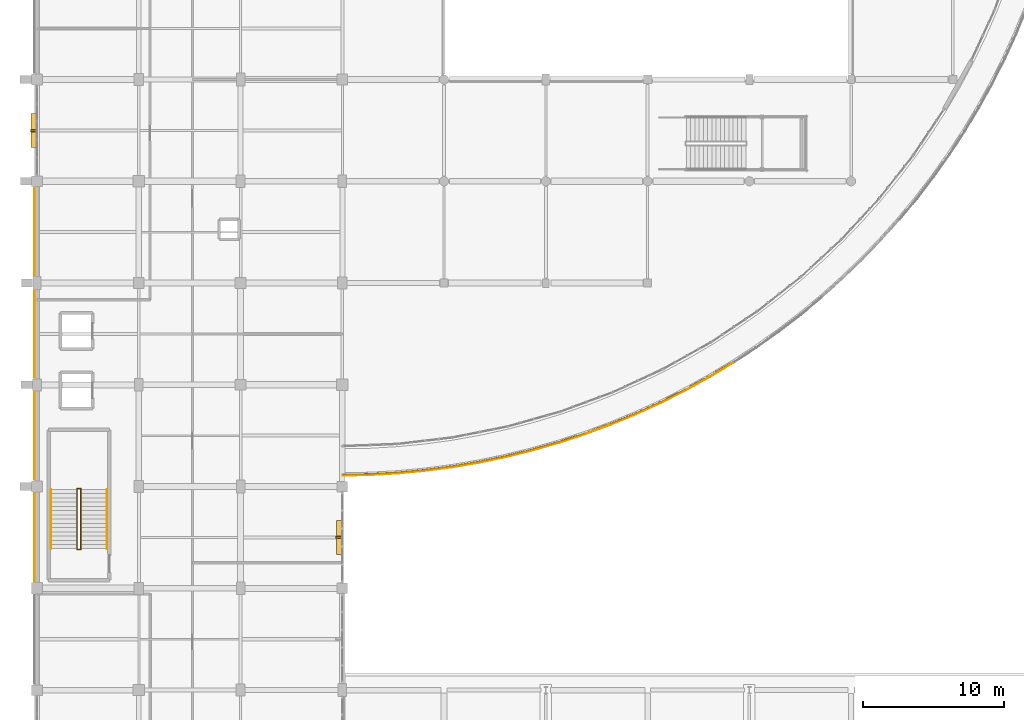
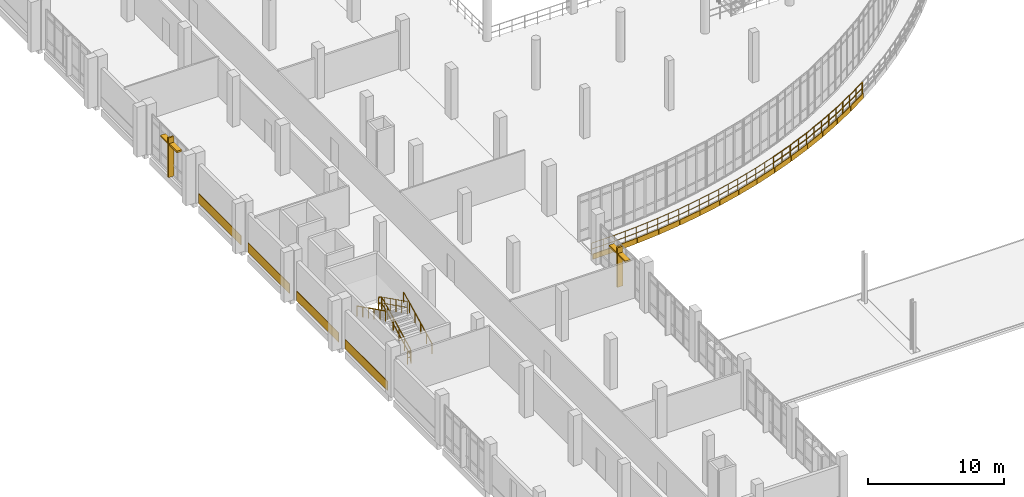
# One storey, part 123 of 134: 21 railings, 19 coverings, 4 shading devices.
"""IFC4 building model written with IfcOpenShell, lengths in metres."""

from ifc_helpers import new_model, si_unit, direction, frame, origin, origin_2d, place, context, subcontext, project, spatial, rectangle, circle, extrude, material, layer, layer_set, type_object, element, save


model = new_model("IFC4")

# Units and contexts
model_context = context("Model", 3, precision=1e-05, world=origin(), true_north=direction((0.0, 1.0)))
body_context = subcontext(model_context, "Body", "Model", "MODEL_VIEW")
ifc_project = project(units=[si_unit("LENGTHUNIT", "METRE"), si_unit("AREAUNIT", "SQUARE_METRE"), si_unit("VOLUMEUNIT", "CUBIC_METRE"), si_unit("PLANEANGLEUNIT", "RADIAN"), si_unit("MASSUNIT", "GRAM", prefix="KILO")], contexts=[model_context])

# Site, building, storey
site_placement = place(None, origin())
site = spatial("IfcSite", under=ifc_project, at=site_placement, CompositionType="ELEMENT")
building_placement = place(site_placement, origin())
building = spatial("IfcBuilding", under=site, at=building_placement, Name="Kalluvel Institute of Natural Sciences", CompositionType="ELEMENT")
storey_placement = place(building_placement, frame((0.0, 0.0, 5.39990234375)))
storey = spatial("IfcBuildingStorey", under=building, at=storey_placement, Name="L01", CompositionType="ELEMENT", Elevation=5.39990234375)

# Coverings
ifc_material_1 = material(Name="Sadarahalli Grey Granite Ashlar Concrete M40", Category="masonry")
ifc_layer = layer(ifc_material_1, 0.044921875)
ifc_layer_set = layer_set([ifc_layer], Name="Sadarahalli Grey Granite Ashlar Concrete M40")
covering_type = type_object("IfcCoveringType", Name="COV-CLAD-STONE", PredefinedType="CLADDING", material=ifc_layer_set)
covering_1_placement = place(storey_placement, frame((13.820068359375, 46.39990234375, 0.025146484375), z_axis=(0.0, 0.0, 1.0), x_axis=(0.0, 1.0, 0.0)))
element("IfcCovering", 1, at=covering_1_placement, inside=storey, type_object=covering_type, Name="L01 Sadarahalli granite plinth spandrel cladding 140", PredefinedType="CLADDING", context=body_context, shape_type="SweptSolid", body=[
    extrude(rectangle(XDim=6.239990234375, YDim=0.044921875, at=origin_2d()), origin(), (0.0, 0.0, 1.0), 0.85009765625),
])
covering_2_placement = place(storey_placement, frame((13.820068359375, 53.58740234375, 0.025146484375), z_axis=(0.0, 0.0, 1.0), x_axis=(0.0, 1.0, 0.0)))
element("IfcCovering", 2, at=covering_2_placement, inside=storey, type_object=covering_type, Name="L01 Sadarahalli granite plinth spandrel cladding 141", PredefinedType="CLADDING", context=body_context, shape_type="SweptSolid", body=[
    extrude(rectangle(XDim=6.215087890625, YDim=0.044921875, at=origin_2d()), origin(), (0.0, 0.0, 1.0), 0.85009765625),
])
covering_3_placement = place(storey_placement, frame((13.820068359375, 60.78759765625, 0.025146484375), z_axis=(0.0, 0.0, 1.0), x_axis=(0.0, 1.0, 0.0)))
element("IfcCovering", 3, at=covering_3_placement, inside=storey, type_object=covering_type, Name="L01 Sadarahalli granite plinth spandrel cladding 142", PredefinedType="CLADDING", context=body_context, shape_type="SweptSolid", body=[
    extrude(rectangle(XDim=6.1650390625, YDim=0.044921875, at=origin_2d()), origin(), (0.0, 0.0, 1.0), 0.85009765625),
])
covering_4_placement = place(storey_placement, frame((13.830078125, 68.03759765625, 0.025146484375), z_axis=(0.0, 0.0, 1.0), x_axis=(0.0, 1.0, 0.0)))
element("IfcCovering", 4, at=covering_4_placement, inside=storey, type_object=covering_type, Name="L01 Sadarahalli granite plinth spandrel cladding 143", PredefinedType="CLADDING", context=body_context, shape_type="SweptSolid", body=[
    extrude(rectangle(XDim=6.215087890625, YDim=0.044921875, at=origin_2d()), origin(), (0.0, 0.0, 1.0), 0.85009765625),
])
covering_5_placement = place(storey_placement, frame((36.572265625, 50.80810546875, -0.31982421875), z_axis=(0.0, 0.0, 1.0), x_axis=(0.999825626826, 0.018673937509, 0.0)))
element("IfcCovering", 5, at=covering_5_placement, inside=storey, type_object=covering_type, Name="L01 curved terrace Sadarahalli stone spandrel fascia 203", PredefinedType="CLADDING", context=body_context, shape_type="SweptSolid", body=[
    extrude(rectangle(XDim=1.904541015625, YDim=0.054931640625, at=origin_2d()), origin(), (0.0, 0.0, 1.0), 0.47998046875),
])
for number, where, z_axis, x_axis, name in (
    (6, (38.515625, 50.880859375, -0.31982421875), (0.0, 0.0, 1.0), (0.998431006284, 0.055995764929, 0.0), "L01 curved terrace Sadarahalli stone spandrel fascia 204"),
    (7, (40.455078125, 51.026123046875, -0.31982421875), (0.0, 0.0, 1.0), (0.995627421982, 0.093413257074, 0.0), "L01 curved terrace Sadarahalli stone spandrel fascia 205"),
):
    element("IfcCovering", number, at=place(storey_placement, frame(where, z_axis=z_axis, x_axis=x_axis)), inside=storey, type_object=covering_type, Name=name, PredefinedType="CLADDING", context=body_context, shape_type="SweptSolid", body=[
        extrude(rectangle(XDim=1.90478515625, YDim=0.054931640625, at=origin_2d()), origin(), (0.0, 0.0, 1.0), 0.47998046875),
    ])
covering_6_placement = place(storey_placement, frame((42.387451171875, 51.243896484375, -0.31982421875), z_axis=(0.0, 0.0, 1.0), x_axis=(0.991444861374, 0.13052619222, 0.0)))
element("IfcCovering", 8, at=covering_6_placement, inside=storey, type_object=covering_type, Name="L01 curved terrace Sadarahalli stone spandrel fascia 206", PredefinedType="CLADDING", context=body_context, shape_type="SweptSolid", body=[
    extrude(rectangle(XDim=1.904541015625, YDim=0.054931640625, at=origin_2d()), origin(), (0.0, 0.0, 1.0), 0.47998046875),
])
for number, where, z_axis, x_axis, name in (
    (9, (44.310546875, 51.53369140625, -0.31982421875), (0.0, 0.0, 1.0), (0.98587937025, 0.16745706111, 0.0), "L01 curved terrace Sadarahalli stone spandrel fascia 207"),
    (10, (46.22119140625, 51.895263671875, -0.31982421875), (0.0, 0.0, 1.0), (0.978903065147, 0.204325204139, 0.0), "L01 curved terrace Sadarahalli stone spandrel fascia 208"),
    (11, (48.1171875, 52.328125, -0.31982421875), (0.0, 0.0, 1.0), (0.970590565411, 0.240736275485, 0.0), "L01 curved terrace Sadarahalli stone spandrel fascia 209"),
    (12, (49.99560546875, 52.831298828125, -0.31982421875), (0.0, 0.0, 1.0), (0.960924224062, 0.276811552523, 0.0), "L01 curved terrace Sadarahalli stone spandrel fascia 210"),
    (13, (51.85400390625, 53.40478515625, -0.31982421875), (0.0, 0.0, 1.0), (0.949862968197, 0.312666502279, 0.0), "L01 curved terrace Sadarahalli stone spandrel fascia 211"),
    (14, (53.689697265625, 54.047119140625, -0.31982421875), (0.0, 0.0, 1.0), (0.937525110258, 0.347917616161, 0.0), "L01 curved terrace Sadarahalli stone spandrel fascia 212"),
    (15, (55.5, 54.757568359375, -0.31982421875), (0.0, 0.0, 1.0), (0.923879532511, 0.382683432365, 0.0), "L01 curved terrace Sadarahalli stone spandrel fascia 213"),
    (16, (57.282470703125, 55.53515625, -0.31982421875), (0.0, 0.0, 1.0), (0.908945268678, 0.416915457315, 0.0), "L01 curved terrace Sadarahalli stone spandrel fascia 214"),
    (17, (59.034423828125, 56.37890625, -0.31982421875), (0.0, 0.0, 1.0), (0.892664497833, 0.450721748209, 0.0), "L01 curved terrace Sadarahalli stone spandrel fascia 215"),
    (18, (60.75390625, 57.28759765625, -0.31982421875), (0.0, 0.0, 1.0), (0.875211360941, 0.483740709141, 0.0), "L01 curved terrace Sadarahalli stone spandrel fascia 216"),
    (19, (62.43798828125, 58.260009765625, -0.31982421875), (0.0, 0.0, 1.0), (0.856537423431, 0.516084917685, 0.0), "L01 curved terrace Sadarahalli stone spandrel fascia 217"),
):
    element("IfcCovering", number, at=place(storey_placement, frame(where, z_axis=z_axis, x_axis=x_axis)), inside=storey, type_object=covering_type, Name=name, PredefinedType="CLADDING", context=body_context, shape_type="SweptSolid", body=[
        extrude(rectangle(XDim=1.90478515625, YDim=0.054931640625, at=origin_2d()), origin(), (0.0, 0.0, 1.0), 0.47998046875),
    ])

# Railings
ifc_material_2 = material(Name="Steel E350 Grade 350", Category="steel")
railing_type_1 = type_object("IfcRailingType", Name="RL-BAL-EXT", PredefinedType="BALUSTRADE", material=ifc_material_2)
railing_1_placement = place(storey_placement, frame((35.60009765625, 50.8701171875, 0.0)))
element("IfcRailing", 20, at=railing_1_placement, inside=storey, type_object=railing_type_1, Name="L01 curved atrium terrace balustrade", PredefinedType="BALUSTRADE", context=body_context, shape_type="SweptSolid", body=[
    extrude(circle(Radius=0.02392578125, at=origin_2d()), frame((0.0, 0.0, 1.09619140625), z_axis=(0.999824544791, 0.018731781362, 0.0), x_axis=(-0.018731781362, 0.999824544791, 0.0)), (0.0, 0.0, 1.0), 1.94189453125),
    extrude(circle(Radius=0.02392578125, at=origin_2d()), frame((0.0, 0.0, 0.56005859375), z_axis=(0.999824544791, 0.018731781362, 0.0), x_axis=(-0.018731781362, 0.999824544791, 0.0)), (0.0, 0.0, 1.0), 1.94189453125),
    extrude(circle(Radius=0.02099609375, at=origin_2d()), origin(), (0.0, 0.0, 1.0), 1.072021484375),
    extrude(circle(Radius=0.02099609375, at=origin_2d()), frame((0.970703125, 0.01806640625, 0.0)), (0.0, 0.0, 1.0), 1.072021484375),
    extrude(circle(Radius=0.02099609375, at=origin_2d()), frame((1.941650390625, 0.036376953125, 0.0)), (0.0, 0.0, 1.0), 1.072021484375),
])
railing_2_placement = place(storey_placement, frame((37.541748046875, 50.906494140625, 0.0)))
element("IfcRailing", 21, at=railing_2_placement, inside=storey, type_object=railing_type_1, Name="L01 curved atrium terrace balustrade", PredefinedType="BALUSTRADE", context=body_context, shape_type="SweptSolid", body=[
    extrude(circle(Radius=0.02392578125, at=origin_2d()), frame((0.0, 0.0, 1.09619140625), z_axis=(0.99843393736, 0.055943477981, 0.0), x_axis=(-0.055943477981, 0.99843393736, 0.0)), (0.0, 0.0, 1.0), 1.94189453125),
    extrude(circle(Radius=0.02392578125, at=origin_2d()), frame((0.0, 0.0, 0.56005859375), z_axis=(0.99843393736, 0.055943477981, 0.0), x_axis=(-0.055943477981, 0.99843393736, 0.0)), (0.0, 0.0, 1.0), 1.94189453125),
    extrude(circle(Radius=0.02099609375, at=origin_2d()), origin(), (0.0, 0.0, 1.0), 1.072021484375),
    extrude(circle(Radius=0.02099609375, at=origin_2d()), frame((0.969482421875, 0.05419921875, 0.0)), (0.0, 0.0, 1.0), 1.072021484375),
    extrude(circle(Radius=0.02099609375, at=origin_2d()), frame((1.93896484375, 0.108642578125, 0.0)), (0.0, 0.0, 1.0), 1.072021484375),
])
railing_3_placement = place(storey_placement, frame((39.480712890625, 51.01513671875, 0.0)))
element("IfcRailing", 22, at=railing_3_placement, inside=storey, type_object=railing_type_1, Name="L01 curved atrium terrace balustrade", PredefinedType="BALUSTRADE", context=body_context, shape_type="SweptSolid", body=[
    extrude(circle(Radius=0.02392578125, at=origin_2d()), frame((0.0, 0.0, 1.09619140625), z_axis=(0.995628382763, 0.093403016211, 0.0), x_axis=(-0.093403016211, 0.995628382763, 0.0)), (0.0, 0.0, 1.0), 1.942138671875),
    extrude(circle(Radius=0.02392578125, at=origin_2d()), frame((0.0, 0.0, 0.56005859375), z_axis=(0.995628382763, 0.093403016211, 0.0), x_axis=(-0.093403016211, 0.995628382763, 0.0)), (0.0, 0.0, 1.0), 1.942138671875),
    extrude(circle(Radius=0.02099609375, at=origin_2d()), origin(), (0.0, 0.0, 1.0), 1.072021484375),
    extrude(circle(Radius=0.02099609375, at=origin_2d()), frame((0.966796875, 0.0908203125, 0.0)), (0.0, 0.0, 1.0), 1.072021484375),
    extrude(circle(Radius=0.02099609375, at=origin_2d()), frame((1.93359375, 0.181396484375, 0.0)), (0.0, 0.0, 1.0), 1.072021484375),
])
railing_4_placement = place(storey_placement, frame((41.414306640625, 51.196533203125, 0.0)))
element("IfcRailing", 23, at=railing_4_placement, inside=storey, type_object=railing_type_1, Name="L01 curved atrium terrace balustrade", PredefinedType="BALUSTRADE", context=body_context, shape_type="SweptSolid", body=[
    extrude(circle(Radius=0.02392578125, at=origin_2d()), frame((0.0, 0.0, 1.09619140625), z_axis=(0.99145044432, 0.130483778522, 0.0), x_axis=(-0.130483778522, 0.99145044432, 0.0)), (0.0, 0.0, 1.0), 1.942138671875),
    extrude(circle(Radius=0.02392578125, at=origin_2d()), frame((0.0, 0.0, 0.56005859375), z_axis=(0.99145044432, 0.130483778522, 0.0), x_axis=(-0.130483778522, 0.99145044432, 0.0)), (0.0, 0.0, 1.0), 1.942138671875),
    extrude(circle(Radius=0.02099609375, at=origin_2d()), origin(), (0.0, 0.0, 1.0), 1.072021484375),
    extrude(circle(Radius=0.02099609375, at=origin_2d()), frame((0.962890625, 0.126708984375, 0.0)), (0.0, 0.0, 1.0), 1.072021484375),
    extrude(circle(Radius=0.02099609375, at=origin_2d()), frame((1.925537109375, 0.25341796875, 0.0)), (0.0, 0.0, 1.0), 1.072021484375),
])
railing_5_placement = place(storey_placement, frame((43.33984375, 51.449951171875, 0.0)))
element("IfcRailing", 24, at=railing_5_placement, inside=storey, type_object=railing_type_1, Name="L01 curved atrium terrace balustrade", PredefinedType="BALUSTRADE", context=body_context, shape_type="SweptSolid", body=[
    extrude(circle(Radius=0.02392578125, at=origin_2d()), frame((0.0, 0.0, 1.09619140625), z_axis=(0.985858754503, 0.167578388135, 0.0), x_axis=(-0.167578388135, 0.985858754503, 0.0)), (0.0, 0.0, 1.0), 1.94189453125),
    extrude(circle(Radius=0.02392578125, at=origin_2d()), frame((0.0, 0.0, 0.56005859375), z_axis=(0.985858754503, 0.167578388135, 0.0), x_axis=(-0.167578388135, 0.985858754503, 0.0)), (0.0, 0.0, 1.0), 1.94189453125),
    extrude(circle(Radius=0.02099609375, at=origin_2d()), origin(), (0.0, 0.0, 1.0), 1.072021484375),
    extrude(circle(Radius=0.02099609375, at=origin_2d()), frame((0.957275390625, 0.16259765625, 0.0)), (0.0, 0.0, 1.0), 1.072021484375),
    extrude(circle(Radius=0.02099609375, at=origin_2d()), frame((1.91455078125, 0.325439453125, 0.0)), (0.0, 0.0, 1.0), 1.072021484375),
])
railing_6_placement = place(storey_placement, frame((45.25439453125, 51.775390625, 0.0)))
element("IfcRailing", 25, at=railing_6_placement, inside=storey, type_object=railing_type_1, Name="L01 curved atrium terrace balustrade", PredefinedType="BALUSTRADE", context=body_context, shape_type="SweptSolid", body=[
    extrude(circle(Radius=0.02392578125, at=origin_2d()), frame((0.0, 0.0, 1.09619140625), z_axis=(0.978937517171, 0.204160078064, 0.0), x_axis=(-0.204160078064, 0.978937517171, 0.0)), (0.0, 0.0, 1.0), 1.942138671875),
    extrude(circle(Radius=0.02392578125, at=origin_2d()), frame((0.0, 0.0, 0.56005859375), z_axis=(0.978937517171, 0.204160078064, 0.0), x_axis=(-0.204160078064, 0.978937517171, 0.0)), (0.0, 0.0, 1.0), 1.942138671875),
    extrude(circle(Radius=0.02099609375, at=origin_2d()), origin(), (0.0, 0.0, 1.0), 1.072021484375),
    extrude(circle(Radius=0.02099609375, at=origin_2d()), frame((0.95068359375, 0.1982421875, 0.0)), (0.0, 0.0, 1.0), 1.072021484375),
    extrude(circle(Radius=0.02099609375, at=origin_2d()), frame((1.901123046875, 0.396484375, 0.0)), (0.0, 0.0, 1.0), 1.072021484375),
])
railing_7_placement = place(storey_placement, frame((47.155517578125, 52.171875, 0.0)))
element("IfcRailing", 26, at=railing_7_placement, inside=storey, type_object=railing_type_1, Name="L01 curved atrium terrace balustrade", PredefinedType="BALUSTRADE", context=body_context, shape_type="SweptSolid", body=[
    extrude(circle(Radius=0.02392578125, at=origin_2d()), frame((0.0, 0.0, 1.09619140625), z_axis=(0.970591892415, 0.240730925265, 0.0), x_axis=(-0.240730925265, 0.970591892415, 0.0)), (0.0, 0.0, 1.0), 1.942138671875),
    extrude(circle(Radius=0.02392578125, at=origin_2d()), frame((0.0, 0.0, 0.56005859375), z_axis=(0.970591892415, 0.240730925265, 0.0), x_axis=(-0.240730925265, 0.970591892415, 0.0)), (0.0, 0.0, 1.0), 1.942138671875),
    extrude(circle(Radius=0.02099609375, at=origin_2d()), origin(), (0.0, 0.0, 1.0), 1.072021484375),
    extrude(circle(Radius=0.02099609375, at=origin_2d()), frame((0.9423828125, 0.23388671875, 0.0)), (0.0, 0.0, 1.0), 1.072021484375),
    extrude(circle(Radius=0.02099609375, at=origin_2d()), frame((1.885009765625, 0.467529296875, 0.0)), (0.0, 0.0, 1.0), 1.072021484375),
])
railing_8_placement = place(storey_placement, frame((49.04052734375, 52.639404296875, 0.0)))
element("IfcRailing", 27, at=railing_8_placement, inside=storey, type_object=railing_type_1, Name="L01 curved atrium terrace balustrade", PredefinedType="BALUSTRADE", context=body_context, shape_type="SweptSolid", body=[
    extrude(circle(Radius=0.02392578125, at=origin_2d()), frame((0.0, 0.0, 1.09619140625), z_axis=(0.960923958419, 0.276812474678, 0.0), x_axis=(-0.276812474678, 0.960923958419, 0.0)), (0.0, 0.0, 1.0), 1.942138671875),
    extrude(circle(Radius=0.02392578125, at=origin_2d()), frame((0.0, 0.0, 0.56005859375), z_axis=(0.960923958419, 0.276812474678, 0.0), x_axis=(-0.276812474678, 0.960923958419, 0.0)), (0.0, 0.0, 1.0), 1.942138671875),
    extrude(circle(Radius=0.02099609375, at=origin_2d()), origin(), (0.0, 0.0, 1.0), 1.072021484375),
    extrude(circle(Radius=0.02099609375, at=origin_2d()), frame((0.93310546875, 0.268798828125, 0.0)), (0.0, 0.0, 1.0), 1.072021484375),
    extrude(circle(Radius=0.02099609375, at=origin_2d()), frame((1.8662109375, 0.53759765625, 0.0)), (0.0, 0.0, 1.0), 1.072021484375),
])
railing_9_placement = place(storey_placement, frame((50.90673828125, 53.177001953125, 0.0)))
element("IfcRailing", 28, at=railing_9_placement, inside=storey, type_object=railing_type_1, Name="L01 curved atrium terrace balustrade", PredefinedType="BALUSTRADE", context=body_context, shape_type="SweptSolid", body=[
    extrude(circle(Radius=0.02392578125, at=origin_2d()), frame((0.0, 0.0, 1.09619140625), z_axis=(0.949870785355, 0.3126427532, 0.0), x_axis=(-0.3126427532, 0.949870785355, 0.0)), (0.0, 0.0, 1.0), 1.942138671875),
    extrude(circle(Radius=0.02392578125, at=origin_2d()), frame((0.0, 0.0, 0.56005859375), z_axis=(0.949870785355, 0.3126427532, 0.0), x_axis=(-0.3126427532, 0.949870785355, 0.0)), (0.0, 0.0, 1.0), 1.942138671875),
    extrude(circle(Radius=0.02099609375, at=origin_2d()), origin(), (0.0, 0.0, 1.0), 1.072021484375),
    extrude(circle(Radius=0.02099609375, at=origin_2d()), frame((0.92236328125, 0.3037109375, 0.0)), (0.0, 0.0, 1.0), 1.072021484375),
    extrude(circle(Radius=0.02099609375, at=origin_2d()), frame((1.8447265625, 0.607177734375, 0.0)), (0.0, 0.0, 1.0), 1.072021484375),
])
railing_10_placement = place(storey_placement, frame((52.75146484375, 53.7841796875, 0.0)))
element("IfcRailing", 29, at=railing_10_placement, inside=storey, type_object=railing_type_1, Name="L01 curved atrium terrace balustrade", PredefinedType="BALUSTRADE", context=body_context, shape_type="SweptSolid", body=[
    extrude(circle(Radius=0.02392578125, at=origin_2d()), frame((0.0, 0.0, 1.09619140625), z_axis=(0.937537781048, 0.347883470586, 0.0), x_axis=(-0.347883470586, 0.937537781048, 0.0)), (0.0, 0.0, 1.0), 1.94189453125),
    extrude(circle(Radius=0.02392578125, at=origin_2d()), frame((0.0, 0.0, 0.56005859375), z_axis=(0.937537781048, 0.347883470586, 0.0), x_axis=(-0.347883470586, 0.937537781048, 0.0)), (0.0, 0.0, 1.0), 1.94189453125),
    extrude(circle(Radius=0.02099609375, at=origin_2d()), origin(), (0.0, 0.0, 1.0), 1.072021484375),
    extrude(circle(Radius=0.02099609375, at=origin_2d()), frame((0.91015625, 0.337890625, 0.0)), (0.0, 0.0, 1.0), 1.072021484375),
    extrude(circle(Radius=0.02099609375, at=origin_2d()), frame((1.820556640625, 0.675537109375, 0.0)), (0.0, 0.0, 1.0), 1.072021484375),
])
railing_11_placement = place(storey_placement, frame((54.572021484375, 54.459716796875, 0.0)))
element("IfcRailing", 30, at=railing_11_placement, inside=storey, type_object=railing_type_1, Name="L01 curved atrium terrace balustrade", PredefinedType="BALUSTRADE", context=body_context, shape_type="SweptSolid", body=[
    extrude(circle(Radius=0.02392578125, at=origin_2d()), frame((0.0, 0.0, 1.09619140625), z_axis=(0.923900404771, 0.382633038384, 0.0), x_axis=(-0.382633038384, 0.923900404771, 0.0)), (0.0, 0.0, 1.0), 1.942138671875),
    extrude(circle(Radius=0.02392578125, at=origin_2d()), frame((0.0, 0.0, 0.56005859375), z_axis=(0.923900404771, 0.382633038384, 0.0), x_axis=(-0.382633038384, 0.923900404771, 0.0)), (0.0, 0.0, 1.0), 1.942138671875),
    extrude(circle(Radius=0.02099609375, at=origin_2d()), origin(), (0.0, 0.0, 1.0), 1.072021484375),
    extrude(circle(Radius=0.02099609375, at=origin_2d()), frame((0.897216796875, 0.37158203125, 0.0)), (0.0, 0.0, 1.0), 1.072021484375),
    extrude(circle(Radius=0.02099609375, at=origin_2d()), frame((1.79443359375, 0.7431640625, 0.0)), (0.0, 0.0, 1.0), 1.072021484375),
])
railing_12_placement = place(storey_placement, frame((56.366455078125, 55.202880859375, 0.0)))
element("IfcRailing", 31, at=railing_12_placement, inside=storey, type_object=railing_type_1, Name="L01 curved atrium terrace balustrade", PredefinedType="BALUSTRADE", context=body_context, shape_type="SweptSolid", body=[
    extrude(circle(Radius=0.02392578125, at=origin_2d()), frame((0.0, 0.0, 1.09619140625), z_axis=(0.908910007897, 0.416992323125, 0.0), x_axis=(-0.416992323125, 0.908910007897, 0.0)), (0.0, 0.0, 1.0), 1.942138671875),
    extrude(circle(Radius=0.02392578125, at=origin_2d()), frame((0.0, 0.0, 0.56005859375), z_axis=(0.908910007897, 0.416992323125, 0.0), x_axis=(-0.416992323125, 0.908910007897, 0.0)), (0.0, 0.0, 1.0), 1.942138671875),
    extrude(circle(Radius=0.02099609375, at=origin_2d()), origin(), (0.0, 0.0, 1.0), 1.072021484375),
    extrude(circle(Radius=0.02099609375, at=origin_2d()), frame((0.882568359375, 0.40478515625, 0.0)), (0.0, 0.0, 1.0), 1.072021484375),
    extrude(circle(Radius=0.02099609375, at=origin_2d()), frame((1.76513671875, 0.809814453125, 0.0)), (0.0, 0.0, 1.0), 1.072021484375),
])
railing_13_placement = place(storey_placement, frame((58.131591796875, 56.0126953125, 0.0)))
element("IfcRailing", 32, at=railing_13_placement, inside=storey, type_object=railing_type_1, Name="L01 curved atrium terrace balustrade", PredefinedType="BALUSTRADE", context=body_context, shape_type="SweptSolid", body=[
    extrude(circle(Radius=0.02392578125, at=origin_2d()), frame((0.0, 0.0, 1.09619140625), z_axis=(0.892685626427, 0.450679900118, 0.0), x_axis=(-0.450679900118, 0.892685626427, 0.0)), (0.0, 0.0, 1.0), 1.942138671875),
    extrude(circle(Radius=0.02392578125, at=origin_2d()), frame((0.0, 0.0, 0.56005859375), z_axis=(0.892685626427, 0.450679900118, 0.0), x_axis=(-0.450679900118, 0.892685626427, 0.0)), (0.0, 0.0, 1.0), 1.942138671875),
    extrude(circle(Radius=0.02099609375, at=origin_2d()), origin(), (0.0, 0.0, 1.0), 1.072021484375),
    extrude(circle(Radius=0.02099609375, at=origin_2d()), frame((0.86669921875, 0.4375, 0.0)), (0.0, 0.0, 1.0), 1.072021484375),
    extrude(circle(Radius=0.02099609375, at=origin_2d()), frame((1.733642578125, 0.875244140625, 0.0)), (0.0, 0.0, 1.0), 1.072021484375),
])
railing_14_placement = place(storey_placement, frame((59.865234375, 56.887939453125, 0.0)))
element("IfcRailing", 33, at=railing_14_placement, inside=storey, type_object=railing_type_1, Name="L01 curved atrium terrace balustrade", PredefinedType="BALUSTRADE", context=body_context, shape_type="SweptSolid", body=[
    extrude(circle(Radius=0.02392578125, at=origin_2d()), frame((0.0, 0.0, 1.09619140625), z_axis=(0.87521072242, 0.483741864388, 0.0), x_axis=(-0.483741864388, 0.87521072242, 0.0)), (0.0, 0.0, 1.0), 1.942138671875),
    extrude(circle(Radius=0.02392578125, at=origin_2d()), frame((0.0, 0.0, 0.56005859375), z_axis=(0.87521072242, 0.483741864388, 0.0), x_axis=(-0.483741864388, 0.87521072242, 0.0)), (0.0, 0.0, 1.0), 1.942138671875),
    extrude(circle(Radius=0.02099609375, at=origin_2d()), origin(), (0.0, 0.0, 1.0), 1.072021484375),
    extrude(circle(Radius=0.02099609375, at=origin_2d()), frame((0.849853515625, 0.4697265625, 0.0)), (0.0, 0.0, 1.0), 1.072021484375),
    extrude(circle(Radius=0.02099609375, at=origin_2d()), frame((1.69970703125, 0.939453125, 0.0)), (0.0, 0.0, 1.0), 1.072021484375),
])
railing_15_placement = place(storey_placement, frame((61.56494140625, 57.827392578125, 0.0)))
element("IfcRailing", 34, at=railing_15_placement, inside=storey, type_object=railing_type_1, Name="L01 curved atrium terrace balustrade", PredefinedType="BALUSTRADE", context=body_context, shape_type="SweptSolid", body=[
    extrude(circle(Radius=0.02392578125, at=origin_2d()), frame((0.0, 0.0, 1.09619140625), z_axis=(0.856570930333, 0.516029302761, 0.0), x_axis=(-0.516029302761, 0.856570930333, 0.0)), (0.0, 0.0, 1.0), 1.942138671875),
    extrude(circle(Radius=0.02392578125, at=origin_2d()), frame((0.0, 0.0, 0.56005859375), z_axis=(0.856570930333, 0.516029302761, 0.0), x_axis=(-0.516029302761, 0.856570930333, 0.0)), (0.0, 0.0, 1.0), 1.942138671875),
    extrude(circle(Radius=0.02099609375, at=origin_2d()), origin(), (0.0, 0.0, 1.0), 1.072021484375),
    extrude(circle(Radius=0.02099609375, at=origin_2d()), frame((0.831787109375, 0.5009765625, 0.0)), (0.0, 0.0, 1.0), 1.072021484375),
    extrude(circle(Radius=0.02099609375, at=origin_2d()), frame((1.66357421875, 1.002197265625, 0.0)), (0.0, 0.0, 1.0), 1.072021484375),
])
ifc_material_3 = material(Name="Galvanized Fire-Rated Steel", Category="steel")
railing_type_2 = type_object("IfcRailingType", Name="RL-GD-STAIR", PredefinedType="BALUSTRADE", material=ifc_material_3)
railing_16_placement = place(storey_placement, frame((17.090087890625, 45.60009765625, 0.150146484375)))
element("IfcRailing", 35, at=railing_16_placement, inside=storey, type_object=railing_type_2, Name="L01 ST4 stair guard 1", PredefinedType="BALUSTRADE", context=body_context, shape_type="SweptSolid", body=[
    extrude(circle(Radius=0.02392578125, at=origin_2d()), frame((0.0, 0.0, 1.09619140625), z_axis=(0.0, 0.894437589381, 0.447192798132), x_axis=(-1.0, 0.0, 0.0)), (0.0, 0.0, 1.0), 4.695556640625),
    extrude(circle(Radius=0.02392578125, at=origin_2d()), frame((0.0, 0.0, 0.56005859375), z_axis=(0.0, 0.894437589381, 0.447192798132), x_axis=(-1.0, 0.0, 0.0)), (0.0, 0.0, 1.0), 4.695556640625),
    extrude(circle(Radius=0.02099609375, at=origin_2d()), origin(), (0.0, 0.0, 1.0), 1.072021484375),
    extrude(circle(Radius=0.02099609375, at=origin_2d()), frame((0.0, 0.840087890625, 0.419921875)), (0.0, 0.0, 1.0), 1.072021484375),
    extrude(circle(Radius=0.02099609375, at=origin_2d()), frame((0.0, 1.679931640625, 0.83984375)), (0.0, 0.0, 1.0), 1.072021484375),
    extrude(circle(Radius=0.02099609375, at=origin_2d()), frame((0.0, 2.52001953125, 1.260009765625)), (0.0, 0.0, 1.0), 1.072021484375),
    extrude(circle(Radius=0.02099609375, at=origin_2d()), frame((0.0, 3.35986328125, 1.679931640625)), (0.0, 0.0, 1.0), 1.072021484375),
    extrude(circle(Radius=0.02099609375, at=origin_2d()), frame((0.0, 4.199951171875, 2.099853515625)), (0.0, 0.0, 1.0), 1.072021484375),
])
railing_17_placement = place(storey_placement, frame((17.10498046875, 49.85009765625, 2.25)))
element("IfcRailing", 36, at=railing_17_placement, inside=storey, type_object=railing_type_2, Name="L01 ST4 stair guard 2", PredefinedType="BALUSTRADE", context=body_context, shape_type="SweptSolid", body=[
    extrude(circle(Radius=0.02392578125, at=origin_2d()), frame((0.0, 0.0, 1.09619140625), z_axis=(-1.0, 0.0, 0.0), x_axis=(0.0, -1.0, 0.0)), (0.0, 0.0, 1.0), 0.280029296875),
    extrude(circle(Radius=0.02392578125, at=origin_2d()), frame((0.0, 0.0, 0.56005859375), z_axis=(-1.0, 0.0, 0.0), x_axis=(0.0, -1.0, 0.0)), (0.0, 0.0, 1.0), 0.280029296875),
    extrude(circle(Radius=0.02099609375, at=origin_2d()), origin(), (0.0, 0.0, 1.0), 1.072021484375),
    extrude(circle(Radius=0.02099609375, at=origin_2d()), frame((-0.280029296875, 0.0, 0.0)), (0.0, 0.0, 1.0), 1.072021484375),
])
railing_18_placement = place(storey_placement, frame((16.840087890625, 49.800048828125, 2.400146484375)))
element("IfcRailing", 37, at=railing_18_placement, inside=storey, type_object=railing_type_2, Name="L01 ST4 stair guard 3", PredefinedType="BALUSTRADE", context=body_context, shape_type="SweptSolid", body=[
    extrude(circle(Radius=0.02392578125, at=origin_2d()), frame((0.0, 0.0, 1.09619140625), z_axis=(0.0, -0.894437589381, 0.447192798132), x_axis=(1.0, 0.0, 0.0)), (0.0, 0.0, 1.0), 4.695556640625),
    extrude(circle(Radius=0.02392578125, at=origin_2d()), frame((0.0, 0.0, 0.56005859375), z_axis=(0.0, -0.894437589381, 0.447192798132), x_axis=(1.0, 0.0, 0.0)), (0.0, 0.0, 1.0), 4.695556640625),
    extrude(circle(Radius=0.02099609375, at=origin_2d()), origin(), (0.0, 0.0, 1.0), 1.072021484375),
    extrude(circle(Radius=0.02099609375, at=origin_2d()), frame((0.0, -0.840087890625, 0.419921875)), (0.0, 0.0, 1.0), 1.072021484375),
    extrude(circle(Radius=0.02099609375, at=origin_2d()), frame((0.0, -1.679931640625, 0.83984375)), (0.0, 0.0, 1.0), 1.072021484375),
    extrude(circle(Radius=0.02099609375, at=origin_2d()), frame((0.0, -2.52001953125, 1.260009765625)), (0.0, 0.0, 1.0), 1.072021484375),
    extrude(circle(Radius=0.02099609375, at=origin_2d()), frame((0.0, -3.35986328125, 1.679931640625)), (0.0, 0.0, 1.0), 1.072021484375),
    extrude(circle(Radius=0.02099609375, at=origin_2d()), frame((0.0, -4.199951171875, 2.099853515625)), (0.0, 0.0, 1.0), 1.072021484375),
])
railing_19_placement = place(storey_placement, frame((17.10498046875, 45.550048828125, 0.0)))
element("IfcRailing", 38, at=railing_19_placement, inside=storey, type_object=railing_type_2, Name="L01 ST4 stair guard 4", PredefinedType="BALUSTRADE", context=body_context, shape_type="SweptSolid", body=[
    extrude(circle(Radius=0.02392578125, at=origin_2d()), frame((0.0, 0.0, 1.09619140625), z_axis=(-1.0, 0.0, 0.0), x_axis=(0.0, -1.0, 0.0)), (0.0, 0.0, 1.0), 0.280029296875),
    extrude(circle(Radius=0.02392578125, at=origin_2d()), frame((0.0, 0.0, 0.56005859375), z_axis=(-1.0, 0.0, 0.0), x_axis=(0.0, -1.0, 0.0)), (0.0, 0.0, 1.0), 0.280029296875),
    extrude(circle(Radius=0.02099609375, at=origin_2d()), origin(), (0.0, 0.0, 1.0), 1.072021484375),
    extrude(circle(Radius=0.02099609375, at=origin_2d()), frame((-0.280029296875, 0.0, 0.0)), (0.0, 0.0, 1.0), 1.072021484375),
])
railing_type_3 = type_object("IfcRailingType", Name="RL-HR-STAIR", PredefinedType="HANDRAIL", material=ifc_material_3)
railing_20_placement = place(storey_placement, frame((18.949951171875, 45.60009765625, 0.150146484375)))
element("IfcRailing", 39, at=railing_20_placement, inside=storey, type_object=railing_type_3, Name="L01 ST4 stair handrail 1", PredefinedType="HANDRAIL", context=body_context, shape_type="SweptSolid", body=[
    extrude(circle(Radius=0.02392578125, at=origin_2d()), frame((0.0, 0.0, 0.89599609375), z_axis=(0.0, 0.894437589381, 0.447192798132), x_axis=(-1.0, 0.0, 0.0)), (0.0, 0.0, 1.0), 4.695556640625),
    extrude(circle(Radius=0.02099609375, at=origin_2d()), origin(), (0.0, 0.0, 1.0), 0.871826171875),
    extrude(circle(Radius=0.02099609375, at=origin_2d()), frame((0.0, 0.840087890625, 0.419921875)), (0.0, 0.0, 1.0), 0.871826171875),
    extrude(circle(Radius=0.02099609375, at=origin_2d()), frame((0.0, 1.679931640625, 0.83984375)), (0.0, 0.0, 1.0), 0.871826171875),
    extrude(circle(Radius=0.02099609375, at=origin_2d()), frame((0.0, 2.52001953125, 1.260009765625)), (0.0, 0.0, 1.0), 0.871826171875),
    extrude(circle(Radius=0.02099609375, at=origin_2d()), frame((0.0, 3.35986328125, 1.679931640625)), (0.0, 0.0, 1.0), 0.871826171875),
    extrude(circle(Radius=0.02099609375, at=origin_2d()), frame((0.0, 4.199951171875, 2.099853515625)), (0.0, 0.0, 1.0), 0.871826171875),
])
railing_21_placement = place(storey_placement, frame((14.97998046875, 49.800048828125, 2.400146484375)))
element("IfcRailing", 40, at=railing_21_placement, inside=storey, type_object=railing_type_3, Name="L01 ST4 stair handrail 2", PredefinedType="HANDRAIL", context=body_context, shape_type="SweptSolid", body=[
    extrude(circle(Radius=0.02392578125, at=origin_2d()), frame((0.0, 0.0, 0.89599609375), z_axis=(0.0, -0.894437589381, 0.447192798132), x_axis=(1.0, 0.0, 0.0)), (0.0, 0.0, 1.0), 4.695556640625),
    extrude(circle(Radius=0.02099609375, at=origin_2d()), origin(), (0.0, 0.0, 1.0), 0.871826171875),
    extrude(circle(Radius=0.02099609375, at=origin_2d()), frame((0.0, -0.840087890625, 0.419921875)), (0.0, 0.0, 1.0), 0.871826171875),
    extrude(circle(Radius=0.02099609375, at=origin_2d()), frame((0.0, -1.679931640625, 0.83984375)), (0.0, 0.0, 1.0), 0.871826171875),
    extrude(circle(Radius=0.02099609375, at=origin_2d()), frame((0.0, -2.52001953125, 1.260009765625)), (0.0, 0.0, 1.0), 0.871826171875),
    extrude(circle(Radius=0.02099609375, at=origin_2d()), frame((0.0, -3.35986328125, 1.679931640625)), (0.0, 0.0, 1.0), 0.871826171875),
    extrude(circle(Radius=0.02099609375, at=origin_2d()), frame((0.0, -4.199951171875, 2.099853515625)), (0.0, 0.0, 1.0), 0.871826171875),
])

# Shading devices
shading_device_type_1 = type_object("IfcShadingDeviceType", Name="SHD-FIN-STONE", PredefinedType="USERDEFINED", material=ifc_material_1)
for number, where, z_axis, x_axis, name in (
    (41, (13.780029296875, 75.1875, 0.0), (0.0, 0.0, 1.0), (0.0, 1.0, 0.0), "L01 monsoon lancet shading fin 129"),
    (42, (35.3798828125, 46.39990234375, 0.0), (0.0, 0.0, 1.0), (0.0, 1.0, 0.0), "L01 monsoon lancet shading fin 138"),
):
    element("IfcShadingDevice", number, at=place(storey_placement, frame(where, z_axis=z_axis, x_axis=x_axis)), inside=storey, type_object=shading_device_type_1, Name=name, ObjectType="MONSOON FIN", PredefinedType="USERDEFINED", context=body_context, shape_type="SweptSolid", body=[
        extrude(rectangle(XDim=0.139892578125, YDim=0.47998046875, at=origin_2d()), origin(), (0.0, 0.0, 1.0), 3.570068359375),
    ])
ifc_material_4 = material(Name="Aluminium AW-6063 T6", Category="aluminium")
shading_device_type_2 = type_object("IfcShadingDeviceType", Name="SHD-LOUV-ALU", PredefinedType="JALOUSIE", material=ifc_material_4)
for number, where, z_axis, x_axis, name in (
    (43, (13.800048828125, 75.1875, 2.89013671875), (0.0, 0.0, 1.0), (0.0, 1.0, 0.0), "L01 aluminium sun-shading louvre 130"),
    (44, (35.39990234375, 46.39990234375, 2.89013671875), (0.0, 0.0, 1.0), (0.0, 1.0, 0.0), "L01 aluminium sun-shading louvre 139"),
):
    element("IfcShadingDevice", number, at=place(storey_placement, frame(where, z_axis=z_axis, x_axis=x_axis)), inside=storey, type_object=shading_device_type_2, Name=name, PredefinedType="JALOUSIE", context=body_context, shape_type="SweptSolid", body=[
        extrude(rectangle(XDim=2.39990234375, YDim=0.419921875, at=origin_2d()), origin(), (0.0, 0.0, 1.0), 0.159912109375),
    ])

save(model, "model.ifc")
